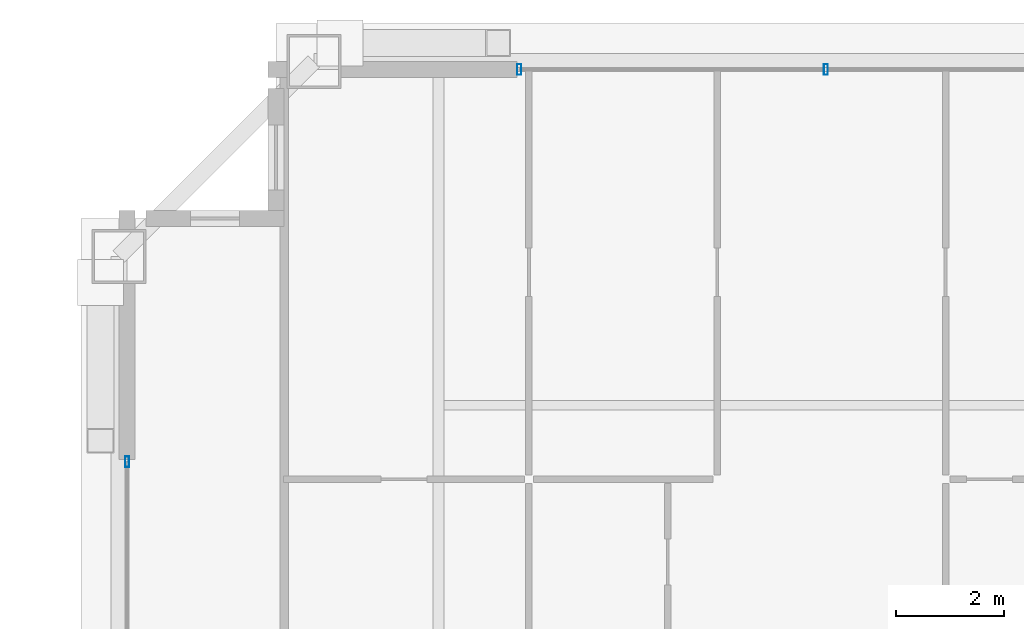
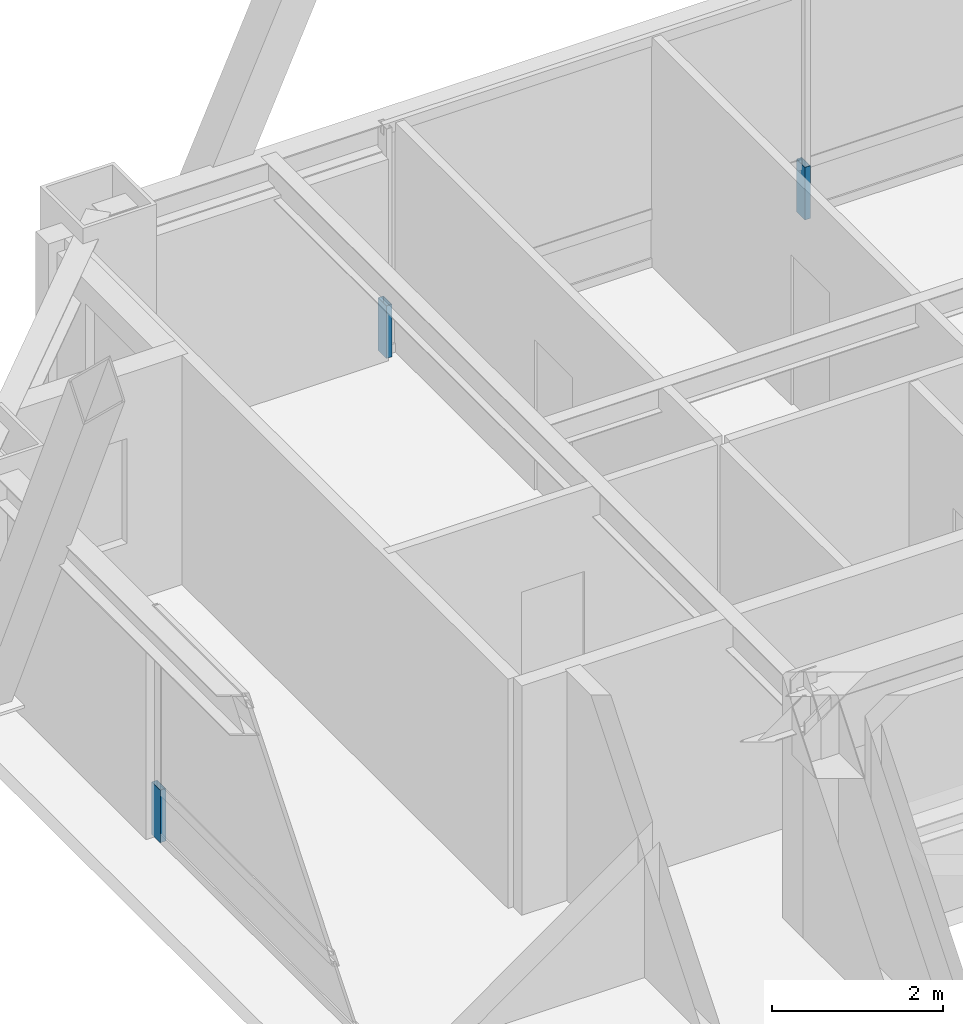
# One storey, part 24 of 33: 3 members, 2 elements without a shape of their own.
"""IFC4 building model written with IfcOpenShell, lengths in metres."""

import ifcopenshell
import ifcopenshell.guid

model = None  # the IFC model being written
_history = None  # IfcOwnerHistory: only IFC2X3 demands one
_inside = {}  # id of a spatial element -> (the spatial element, [elements in it])
_under = {}  # id of a project, library or spatial element -> (it, [spatial elements below it])
_declared = {}  # id of a project -> (the project, [libraries it declares])
_typed = {}  # id of a type object -> (the type object, [elements of that type])
_made_of = {}  # id of a material, layer set ... -> (it, [elements and type objects made of it])


def new_model(schema):
    """Start an empty IFC model of exactly this schema.

    Asked for "IFC4X3", IfcOpenShell would pick the latest addendum, in which some entities
    have other attributes; the version numbers below select the first issue.
    IFC2X3 requires an IfcOwnerHistory on every rooted entity: one is made here for all.
    """
    global model, _history
    if schema == "IFC4X3":
        model = ifcopenshell.file(schema_version=(4, 3, 0, 0))
    else:
        model = ifcopenshell.file(schema=schema)
    _inside.clear()
    _under.clear()
    _declared.clear()
    _typed.clear()
    _made_of.clear()
    _history = None
    if model.schema == "IFC2X3":
        org = make("IfcOrganization", Name="unknown")
        user = make(
            "IfcPersonAndOrganization",
            ThePerson=make("IfcPerson", FamilyName="unknown"),
            TheOrganization=org,
        )
        app = make(
            "IfcApplication",
            ApplicationDeveloper=org,
            Version="unknown",
            ApplicationFullName="unknown",
            ApplicationIdentifier="unknown",
        )
        _history = make(
            "IfcOwnerHistory",
            OwningUser=user,
            OwningApplication=app,
            ChangeAction="ADDED",
            CreationDate=0,
        )
    return model


def make(cls, **values):
    """One entity of the class cls with the attributes given. An attribute that is None is left unset."""
    return model.create_entity(
        cls, **{name: value for name, value in values.items() if value is not None}
    )


def rooted(cls, **values):
    """An entity with a GlobalId (a new one), such as an element, a storey or a relation."""
    return make(cls, GlobalId=ifcopenshell.guid.new(), OwnerHistory=_history, **values)


def si_unit(unit_type, name, prefix=None):
    """IfcSIUnit, for example si_unit("LENGTHUNIT", "METRE", prefix="MILLI")."""
    return make("IfcSIUnit", UnitType=unit_type, Prefix=prefix, Name=name)


def assignment(units):
    """IfcUnitAssignment: the units of a project."""
    return None if units is None else make("IfcUnitAssignment", Units=units)


def point(xyz):
    """IfcCartesianPoint."""
    return None if xyz is None else make("IfcCartesianPoint", Coordinates=xyz)


def direction(xyz):
    """IfcDirection."""
    return None if xyz is None else make("IfcDirection", DirectionRatios=xyz)


def frame(location, z_axis=None, x_axis=None):
    """IfcAxis2Placement3D, a coordinate frame: its origin and axes. An axis left out is left unset."""
    return make(
        "IfcAxis2Placement3D",
        Location=point(location),
        Axis=direction(z_axis),
        RefDirection=direction(x_axis),
    )


def frame_2d(location, x_axis=None):
    """IfcAxis2Placement2D, a coordinate frame in the plane: its origin and x axis."""
    return make(
        "IfcAxis2Placement2D", Location=point(location), RefDirection=direction(x_axis)
    )


def origin():
    """The frame at (0, 0, 0) with its axes left unset."""
    return frame((0.0, 0.0, 0.0))


def origin_2d():
    """The frame at (0, 0) in the plane with its x axis left unset."""
    return frame_2d((0.0, 0.0))


def place(relative_to, where):
    """IfcLocalPlacement: puts the frame where relative to a parent placement (None: the world)."""
    return make(
        "IfcLocalPlacement", PlacementRelTo=relative_to, RelativePlacement=where
    )


def context(
    kind, dimensions, precision=None, world=None, true_north=None, identifier=None
):
    """IfcGeometricRepresentationContext, for example the 3D "Model" context."""
    return make(
        "IfcGeometricRepresentationContext",
        ContextIdentifier=identifier,
        ContextType=kind,
        CoordinateSpaceDimension=dimensions,
        Precision=precision,
        WorldCoordinateSystem=world,
        TrueNorth=true_north,
    )


def subcontext(parent, identifier, kind, view, scale=None):
    """IfcGeometricRepresentationSubContext, for example "Body" below "Model"."""
    return make(
        "IfcGeometricRepresentationSubContext",
        ContextIdentifier=identifier,
        ContextType=kind,
        ParentContext=parent,
        TargetScale=scale,
        TargetView=view,
    )


def project(units=None, contexts=None):
    """IfcProject with its units and contexts."""
    return rooted(
        "IfcProject",
        Name="project",
        RepresentationContexts=contexts,
        UnitsInContext=assignment(units),
    )


def spatial(cls, under=None, at=None, **own):
    """A site, building, storey or space (cls), placed at a placement, below another one or the project."""
    s = rooted(cls, ObjectPlacement=at, **own)
    if under is not None:
        _under.setdefault(under.id(), (under, []))[1].append(s)
    return s


def profile(cls, at=None, kind="AREA", **sizes):
    """A parametric profile (cls). Its sizes go by their IFC names, for example OverallWidth=200.0."""
    return make(cls, ProfileType=kind, Position=at, **sizes)


def hollow_rectangle(**sizes):
    """IfcRectangleHollowProfileDef."""
    return profile("IfcRectangleHollowProfileDef", **sizes)


def extrude(swept, where, along, depth):
    """IfcExtrudedAreaSolid: the profile swept, set in the frame where, extruded along a direction by depth."""
    return make(
        "IfcExtrudedAreaSolid",
        SweptArea=swept,
        Position=where,
        ExtrudedDirection=direction(along),
        Depth=depth,
    )


def shape(context_of_items, identifier, shape_type, items):
    """IfcShapeRepresentation: the items that make up one representation, for example the "Body"."""
    return make(
        "IfcShapeRepresentation",
        ContextOfItems=context_of_items,
        RepresentationIdentifier=identifier,
        RepresentationType=shape_type,
        Items=items,
    )


def source(mapping_origin, context_of_items, identifier, shape_type, items):
    """IfcRepresentationMap: a shape defined once, which mapped items show again and again."""
    return make(
        "IfcRepresentationMap",
        MappingOrigin=mapping_origin,
        MappedRepresentation=shape(context_of_items, identifier, shape_type, items),
    )


def transform(
    local_origin,
    x_axis=None,
    y_axis=None,
    z_axis=None,
    scale=None,
    scale2=None,
    scale3=None,
    uniform=True,
):
    """IfcCartesianTransformationOperator3D, or its non-uniform kind. x_axis, y_axis, z_axis: its Axis1, 2, 3."""
    if uniform:
        return make(
            "IfcCartesianTransformationOperator3D",
            Axis1=direction(x_axis),
            Axis2=direction(y_axis),
            LocalOrigin=point(local_origin),
            Scale=scale,
            Axis3=direction(z_axis),
        )
    return make(
        "IfcCartesianTransformationOperator3DnonUniform",
        Axis1=direction(x_axis),
        Axis2=direction(y_axis),
        LocalOrigin=point(local_origin),
        Scale=scale,
        Axis3=direction(z_axis),
        Scale2=scale2,
        Scale3=scale3,
    )


def mapped(mapping_source, mapping_target):
    """IfcMappedItem: shows the shape of a source again, moved by a transform."""
    return make(
        "IfcMappedItem", MappingSource=mapping_source, MappingTarget=mapping_target
    )


def material(Name=None, Category=None):
    """IfcMaterial."""
    return make("IfcMaterial", Name=Name, Category=Category)


def layer(
    of_material, thickness, ventilated=None, Name=None, Category=None, Priority=None
):
    """IfcMaterialLayer: one layer of a wall or slab, of a material (None: an air gap)."""
    return make(
        "IfcMaterialLayer",
        Material=of_material,
        LayerThickness=thickness,
        IsVentilated=ventilated,
        Name=Name,
        Category=Category,
        Priority=Priority,
    )


def layer_set(layers, Name=None):
    """IfcMaterialLayerSet."""
    return make("IfcMaterialLayerSet", MaterialLayers=layers, LayerSetName=Name)


def material_profile(
    of_material, cross_section, Name=None, Category=None, Priority=None
):
    """IfcMaterialProfile: a cross section and its material."""
    return make(
        "IfcMaterialProfile",
        Name=Name,
        Material=of_material,
        Profile=cross_section,
        Priority=Priority,
        Category=Category,
    )


def profile_set(profiles, Name=None, composite=None):
    """IfcMaterialProfileSet."""
    return make(
        "IfcMaterialProfileSet",
        Name=Name,
        MaterialProfiles=profiles,
        CompositeProfile=composite,
    )


def made_of(thing, what):
    """Note that an element or type object is made of a material, layer set ...; save() writes the relation."""
    if what is not None:
        _made_of.setdefault(what.id(), (what, []))[1].append(thing)
    return thing


def type_object(cls, material=None, **own):
    """A type object (cls), such as IfcWallType, which elements share."""
    return made_of(rooted(cls, **own), material)


def element(
    cls,
    number,
    at=None,
    inside=None,
    cuts=None,
    type_object=None,
    material=None,
    context=None,
    identifier="Body",
    shape_type=None,
    held_by="IfcProductDefinitionShape",
    body=None,
    shapes=None,
    **own,
):
    """One element of the class cls, such as IfcWall. Its Tag is "e" and its number.

    at: its placement. inside: the storey or other place that contains it. cuts: it is an
    opening in that element (IfcRelVoidsElement). A single representation is given by context,
    identifier, shape_type and body (its items); several are given by shapes. held_by: the class
    of the entity that holds the representations. save() writes the other relations.
    """
    e = rooted(cls, Tag="e%d" % number, ObjectPlacement=at, **own)
    if body is not None:
        shapes = [shape(context, identifier, shape_type, body)]
    if shapes is not None:
        e.Representation = make(held_by, Representations=shapes)
    if inside is not None:
        _inside.setdefault(inside.id(), (inside, []))[1].append(e)
    if cuts is not None:
        rooted(
            "IfcRelVoidsElement", RelatingBuildingElement=cuts, RelatedOpeningElement=e
        )
    if type_object is not None:
        _typed.setdefault(type_object.id(), (type_object, []))[1].append(e)
    return made_of(e, material)


def aggregate(whole, parts):
    """IfcRelAggregates: a whole, such as a stair, and the parts it consists of."""
    return rooted("IfcRelAggregates", RelatingObject=whole, RelatedObjects=parts)


def save(model, path):
    """Write the relations noted so far, then the file.

    IfcRelAggregates (storeys below a building ...), IfcRelContainedInSpatialStructure (elements
    in a storey), IfcRelDefinesByType, IfcRelAssociatesMaterial and IfcRelDeclares: one each for
    every whole, place, type object, material and project.
    """
    for whole, parts in _under.values():
        aggregate(whole, parts)
    for where, things in _inside.values():
        rooted(
            "IfcRelContainedInSpatialStructure",
            RelatedElements=things,
            RelatingStructure=where,
        )
    for kind, things in _typed.values():
        rooted("IfcRelDefinesByType", RelatedObjects=things, RelatingType=kind)
    for what, things in _made_of.values():
        rooted("IfcRelAssociatesMaterial", RelatedObjects=things, RelatingMaterial=what)
    for by, libraries in _declared.values():
        rooted("IfcRelDeclares", RelatingContext=by, RelatedDefinitions=libraries)
    model.write(path)


model = new_model("IFC4")

# Units and contexts
model_context = context("Model", 3, precision=1e-05, world=origin(), true_north=direction((0.0, 1.0)))
body_context = subcontext(model_context, "Body", "Model", "MODEL_VIEW")
ifc_project = project(units=[si_unit("LENGTHUNIT", "METRE"), si_unit("AREAUNIT", "SQUARE_METRE"), si_unit("VOLUMEUNIT", "CUBIC_METRE"), si_unit("PLANEANGLEUNIT", "RADIAN"), si_unit("MASSUNIT", "GRAM", prefix="KILO"), si_unit("THERMODYNAMICTEMPERATUREUNIT", "KELVIN"), si_unit("POWERUNIT", "WATT")], contexts=[model_context])

# Site, building, storey
site_placement = place(None, origin())
site = spatial("IfcSite", under=ifc_project, at=site_placement, CompositionType="ELEMENT")
building_placement = place(site_placement, origin())
building = spatial("IfcBuilding", under=site, at=building_placement, Name="Yuzanri Waterfront Tower", CompositionType="ELEMENT")
storey_placement = place(building_placement, frame((0.0, 0.0, 292.60009765625)))
storey = spatial("IfcBuildingStorey", under=building, at=storey_placement, Name="L78", CompositionType="ELEMENT", Elevation=292.60009765625)

# Curtain wall, members
ifc_material_1 = material(Name="Anodized Architectural Bronze", Category="metal")
ifc_layer = layer(ifc_material_1, 0.159912109375)
ifc_layer_set = layer_set([ifc_layer], Name="Anodized Architectural Bronze")
curtain_wall_type = type_object("IfcCurtainWallType", Name="Anodized Bronze High-Rise Penthouse High-Wind Unitized Curtain Wall 6900", PredefinedType="NOTDEFINED", material=ifc_layer_set)
curtain_wall_1_placement = place(storey_placement, origin())
curtain_wall_1 = element("IfcCurtainWall", 1, at=curtain_wall_1_placement, inside=storey, type_object=curtain_wall_type, Name="L78 Curtain Wall CW-L78-NL", PredefinedType="NOTDEFINED")
ifc_material_2 = material(Name="Anodized Architectural Bronze", Category="metal")
ifc_material_profile = material_profile(ifc_material_2, hollow_rectangle(XDim=0.074951171875, YDim=0.199951171875, WallThickness=0.00390625, at=origin_2d()), Name="CWM 75x200")
ifc_profile_set = profile_set([ifc_material_profile], Name="Anodized Architectural Bronze")
member_type = type_object("IfcMemberType", Name="Anodized Bronze Primary Curtain-Wall Mullion 75x200", PredefinedType="MULLION", material=ifc_profile_set)
shared_shape = source(origin(), body_context, "Body", "SweptSolid", [
    extrude(hollow_rectangle(XDim=0.074951171875, YDim=0.199951171875, WallThickness=0.00390625, at=origin_2d()), origin(), (0.0, 0.0, 1.0), 0.751953125),
])
member_1_placement = place(storey_placement, frame((25.2900390625, 44.75, 0.0), z_axis=(0.0, 0.0, 1.0), x_axis=(1.0, 0.0, 0.0)))
member_1 = element("IfcMember", 2, at=member_1_placement, type_object=member_type, Name="CW-L78-NL Lower Mullion 00", PredefinedType="MULLION", context=body_context, shape_type="MappedRepresentation", body=[
    mapped(shared_shape, transform((0.0, 0.0, 0.0), scale=1.0)),
])
member_2_placement = place(storey_placement, frame((30.949951171875, 44.75, 0.0), z_axis=(0.0, 0.0, 1.0), x_axis=(1.0, 0.0, 0.0)))
member_2 = element("IfcMember", 3, at=member_2_placement, type_object=member_type, Name="CW-L78-NL Lower Mullion 01", PredefinedType="MULLION", context=body_context, shape_type="MappedRepresentation", body=[
    mapped(shared_shape, transform((0.0, 0.0, 0.0), scale=1.0)),
])
aggregate(curtain_wall_1, [member_1, member_2])

# Curtain wall, member
curtain_wall_2_placement = place(storey_placement, origin())
curtain_wall_2 = element("IfcCurtainWall", 4, at=curtain_wall_2_placement, inside=storey, type_object=curtain_wall_type, Name="L78 Curtain Wall CW-L78-WR", PredefinedType="NOTDEFINED")
member_3_placement = place(storey_placement, frame((18.050048828125, 37.510009765625, 0.0), z_axis=(0.0, 0.0, 1.0), x_axis=(1.0, 0.0, 0.0)))
member_3 = element("IfcMember", 5, at=member_3_placement, type_object=member_type, Name="CW-L78-WR Lower Mullion 02", PredefinedType="MULLION", context=body_context, shape_type="MappedRepresentation", body=[
    mapped(shared_shape, transform((0.0, 0.0, 0.0), scale=1.0)),
])
aggregate(curtain_wall_2, [member_3])

save(model, "model.ifc")
